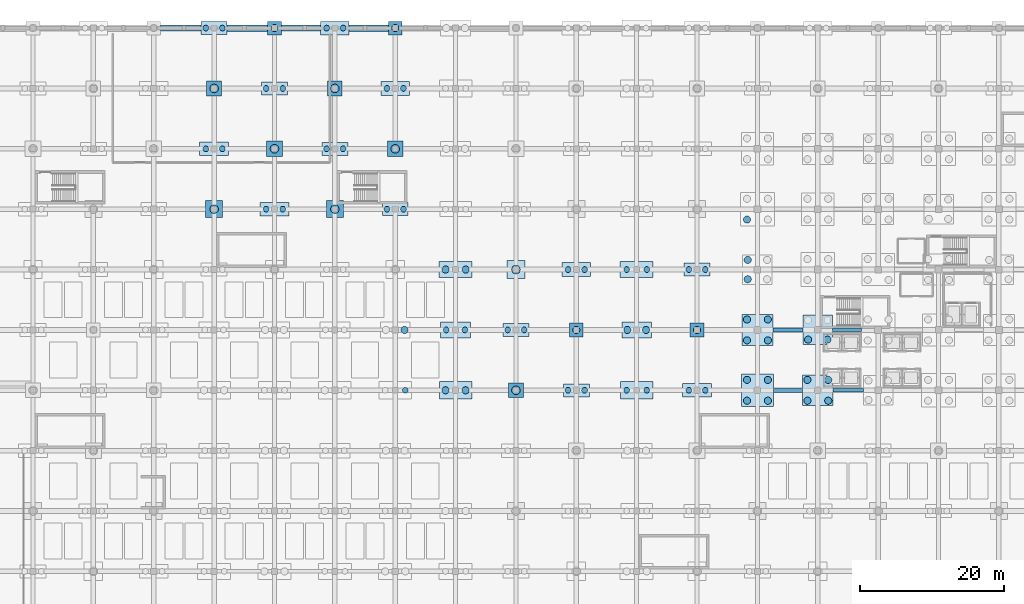
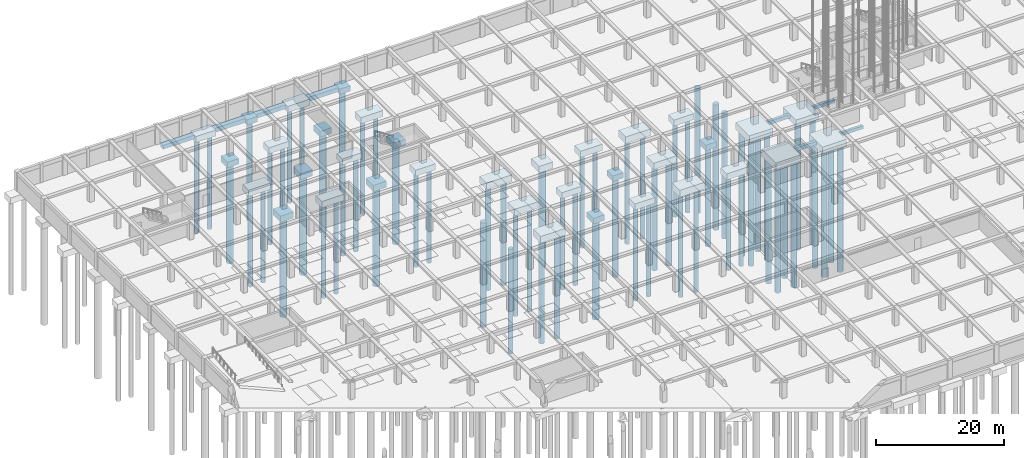
# One storey, part 4 of 47: 69 piles, 43 footings.
"""IFC4 building model written with IfcOpenShell, lengths in metres."""

import ifcopenshell
import ifcopenshell.guid

model = None  # the IFC model being written
_history = None  # IfcOwnerHistory: only IFC2X3 demands one
_inside = {}  # id of a spatial element -> (the spatial element, [elements in it])
_under = {}  # id of a project, library or spatial element -> (it, [spatial elements below it])
_declared = {}  # id of a project -> (the project, [libraries it declares])
_typed = {}  # id of a type object -> (the type object, [elements of that type])
_made_of = {}  # id of a material, layer set ... -> (it, [elements and type objects made of it])


def new_model(schema):
    """Start an empty IFC model of exactly this schema.

    Asked for "IFC4X3", IfcOpenShell would pick the latest addendum, in which some entities
    have other attributes; the version numbers below select the first issue.
    IFC2X3 requires an IfcOwnerHistory on every rooted entity: one is made here for all.
    """
    global model, _history
    if schema == "IFC4X3":
        model = ifcopenshell.file(schema_version=(4, 3, 0, 0))
    else:
        model = ifcopenshell.file(schema=schema)
    _inside.clear()
    _under.clear()
    _declared.clear()
    _typed.clear()
    _made_of.clear()
    _history = None
    if model.schema == "IFC2X3":
        org = make("IfcOrganization", Name="unknown")
        user = make(
            "IfcPersonAndOrganization",
            ThePerson=make("IfcPerson", FamilyName="unknown"),
            TheOrganization=org,
        )
        app = make(
            "IfcApplication",
            ApplicationDeveloper=org,
            Version="unknown",
            ApplicationFullName="unknown",
            ApplicationIdentifier="unknown",
        )
        _history = make(
            "IfcOwnerHistory",
            OwningUser=user,
            OwningApplication=app,
            ChangeAction="ADDED",
            CreationDate=0,
        )
    return model


def make(cls, **values):
    """One entity of the class cls with the attributes given. An attribute that is None is left unset."""
    return model.create_entity(
        cls, **{name: value for name, value in values.items() if value is not None}
    )


def rooted(cls, **values):
    """An entity with a GlobalId (a new one), such as an element, a storey or a relation."""
    return make(cls, GlobalId=ifcopenshell.guid.new(), OwnerHistory=_history, **values)


def si_unit(unit_type, name, prefix=None):
    """IfcSIUnit, for example si_unit("LENGTHUNIT", "METRE", prefix="MILLI")."""
    return make("IfcSIUnit", UnitType=unit_type, Prefix=prefix, Name=name)


def assignment(units):
    """IfcUnitAssignment: the units of a project."""
    return None if units is None else make("IfcUnitAssignment", Units=units)


def point(xyz):
    """IfcCartesianPoint."""
    return None if xyz is None else make("IfcCartesianPoint", Coordinates=xyz)


def direction(xyz):
    """IfcDirection."""
    return None if xyz is None else make("IfcDirection", DirectionRatios=xyz)


def frame(location, z_axis=None, x_axis=None):
    """IfcAxis2Placement3D, a coordinate frame: its origin and axes. An axis left out is left unset."""
    return make(
        "IfcAxis2Placement3D",
        Location=point(location),
        Axis=direction(z_axis),
        RefDirection=direction(x_axis),
    )


def frame_2d(location, x_axis=None):
    """IfcAxis2Placement2D, a coordinate frame in the plane: its origin and x axis."""
    return make(
        "IfcAxis2Placement2D", Location=point(location), RefDirection=direction(x_axis)
    )


def origin():
    """The frame at (0, 0, 0) with its axes left unset."""
    return frame((0.0, 0.0, 0.0))


def origin_2d():
    """The frame at (0, 0) in the plane with its x axis left unset."""
    return frame_2d((0.0, 0.0))


def place(relative_to, where):
    """IfcLocalPlacement: puts the frame where relative to a parent placement (None: the world)."""
    return make(
        "IfcLocalPlacement", PlacementRelTo=relative_to, RelativePlacement=where
    )


def context(
    kind, dimensions, precision=None, world=None, true_north=None, identifier=None
):
    """IfcGeometricRepresentationContext, for example the 3D "Model" context."""
    return make(
        "IfcGeometricRepresentationContext",
        ContextIdentifier=identifier,
        ContextType=kind,
        CoordinateSpaceDimension=dimensions,
        Precision=precision,
        WorldCoordinateSystem=world,
        TrueNorth=true_north,
    )


def subcontext(parent, identifier, kind, view, scale=None):
    """IfcGeometricRepresentationSubContext, for example "Body" below "Model"."""
    return make(
        "IfcGeometricRepresentationSubContext",
        ContextIdentifier=identifier,
        ContextType=kind,
        ParentContext=parent,
        TargetScale=scale,
        TargetView=view,
    )


def project(units=None, contexts=None):
    """IfcProject with its units and contexts."""
    return rooted(
        "IfcProject",
        Name="project",
        RepresentationContexts=contexts,
        UnitsInContext=assignment(units),
    )


def spatial(cls, under=None, at=None, **own):
    """A site, building, storey or space (cls), placed at a placement, below another one or the project."""
    s = rooted(cls, ObjectPlacement=at, **own)
    if under is not None:
        _under.setdefault(under.id(), (under, []))[1].append(s)
    return s


def profile(cls, at=None, kind="AREA", **sizes):
    """A parametric profile (cls). Its sizes go by their IFC names, for example OverallWidth=200.0."""
    return make(cls, ProfileType=kind, Position=at, **sizes)


def rectangle(**sizes):
    """IfcRectangleProfileDef."""
    return profile("IfcRectangleProfileDef", **sizes)


def circle(**sizes):
    """IfcCircleProfileDef."""
    return profile("IfcCircleProfileDef", **sizes)


def extrude(swept, where, along, depth):
    """IfcExtrudedAreaSolid: the profile swept, set in the frame where, extruded along a direction by depth."""
    return make(
        "IfcExtrudedAreaSolid",
        SweptArea=swept,
        Position=where,
        ExtrudedDirection=direction(along),
        Depth=depth,
    )


def shape(context_of_items, identifier, shape_type, items):
    """IfcShapeRepresentation: the items that make up one representation, for example the "Body"."""
    return make(
        "IfcShapeRepresentation",
        ContextOfItems=context_of_items,
        RepresentationIdentifier=identifier,
        RepresentationType=shape_type,
        Items=items,
    )


def material(Name=None, Category=None):
    """IfcMaterial."""
    return make("IfcMaterial", Name=Name, Category=Category)


def layer(
    of_material, thickness, ventilated=None, Name=None, Category=None, Priority=None
):
    """IfcMaterialLayer: one layer of a wall or slab, of a material (None: an air gap)."""
    return make(
        "IfcMaterialLayer",
        Material=of_material,
        LayerThickness=thickness,
        IsVentilated=ventilated,
        Name=Name,
        Category=Category,
        Priority=Priority,
    )


def layer_set(layers, Name=None):
    """IfcMaterialLayerSet."""
    return make("IfcMaterialLayerSet", MaterialLayers=layers, LayerSetName=Name)


def material_profile(
    of_material, cross_section, Name=None, Category=None, Priority=None
):
    """IfcMaterialProfile: a cross section and its material."""
    return make(
        "IfcMaterialProfile",
        Name=Name,
        Material=of_material,
        Profile=cross_section,
        Priority=Priority,
        Category=Category,
    )


def profile_set(profiles, Name=None, composite=None):
    """IfcMaterialProfileSet."""
    return make(
        "IfcMaterialProfileSet",
        Name=Name,
        MaterialProfiles=profiles,
        CompositeProfile=composite,
    )


def made_of(thing, what):
    """Note that an element or type object is made of a material, layer set ...; save() writes the relation."""
    if what is not None:
        _made_of.setdefault(what.id(), (what, []))[1].append(thing)
    return thing


def type_object(cls, material=None, **own):
    """A type object (cls), such as IfcWallType, which elements share."""
    return made_of(rooted(cls, **own), material)


def element(
    cls,
    number,
    at=None,
    inside=None,
    cuts=None,
    type_object=None,
    material=None,
    context=None,
    identifier="Body",
    shape_type=None,
    held_by="IfcProductDefinitionShape",
    body=None,
    shapes=None,
    **own,
):
    """One element of the class cls, such as IfcWall. Its Tag is "e" and its number.

    at: its placement. inside: the storey or other place that contains it. cuts: it is an
    opening in that element (IfcRelVoidsElement). A single representation is given by context,
    identifier, shape_type and body (its items); several are given by shapes. held_by: the class
    of the entity that holds the representations. save() writes the other relations.
    """
    e = rooted(cls, Tag="e%d" % number, ObjectPlacement=at, **own)
    if body is not None:
        shapes = [shape(context, identifier, shape_type, body)]
    if shapes is not None:
        e.Representation = make(held_by, Representations=shapes)
    if inside is not None:
        _inside.setdefault(inside.id(), (inside, []))[1].append(e)
    if cuts is not None:
        rooted(
            "IfcRelVoidsElement", RelatingBuildingElement=cuts, RelatedOpeningElement=e
        )
    if type_object is not None:
        _typed.setdefault(type_object.id(), (type_object, []))[1].append(e)
    return made_of(e, material)


def aggregate(whole, parts):
    """IfcRelAggregates: a whole, such as a stair, and the parts it consists of."""
    return rooted("IfcRelAggregates", RelatingObject=whole, RelatedObjects=parts)


def save(model, path):
    """Write the relations noted so far, then the file.

    IfcRelAggregates (storeys below a building ...), IfcRelContainedInSpatialStructure (elements
    in a storey), IfcRelDefinesByType, IfcRelAssociatesMaterial and IfcRelDeclares: one each for
    every whole, place, type object, material and project.
    """
    for whole, parts in _under.values():
        aggregate(whole, parts)
    for where, things in _inside.values():
        rooted(
            "IfcRelContainedInSpatialStructure",
            RelatedElements=things,
            RelatingStructure=where,
        )
    for kind, things in _typed.values():
        rooted("IfcRelDefinesByType", RelatedObjects=things, RelatingType=kind)
    for what, things in _made_of.values():
        rooted("IfcRelAssociatesMaterial", RelatedObjects=things, RelatingMaterial=what)
    for by, libraries in _declared.values():
        rooted("IfcRelDeclares", RelatingContext=by, RelatedDefinitions=libraries)
    model.write(path)


model = new_model("IFC4")

# Units and contexts
model_context = context("Model", 3, precision=1e-05, world=origin(), true_north=direction((0.0, 1.0)))
body_context = subcontext(model_context, "Body", "Model", "MODEL_VIEW")
ifc_project = project(units=[si_unit("LENGTHUNIT", "METRE"), si_unit("AREAUNIT", "SQUARE_METRE"), si_unit("VOLUMEUNIT", "CUBIC_METRE"), si_unit("PLANEANGLEUNIT", "RADIAN"), si_unit("MASSUNIT", "GRAM", prefix="KILO")], contexts=[model_context])

# Site, building, storey
site_placement = place(None, origin())
site = spatial("IfcSite", under=ifc_project, at=site_placement, CompositionType="ELEMENT")
building_placement = place(site_placement, origin())
building = spatial("IfcBuilding", under=site, at=building_placement, Name="Almacenes y Pasaje Nevantli", CompositionType="ELEMENT")
storey_placement = place(building_placement, frame((0.0, 0.0, -8.10009765625)))
storey = spatial("IfcBuildingStorey", under=building, at=storey_placement, Name="B02", CompositionType="ELEMENT", Elevation=-8.10009765625)

# Footings
ifc_material_1 = material(Name="Concrete C45/55", Category="concrete")
ifc_layer_1 = layer(ifc_material_1, 0.64990234375)
ifc_layer_set_1 = layer_set([ifc_layer_1], Name="Concrete C45/55")
footing_type_1 = type_object("IfcFootingType", Name="FT-FB-01", PredefinedType="FOOTING_BEAM", material=ifc_layer_set_1)
footing_1_placement = place(storey_placement, frame((113.449951171875, 67.199951171875, -1.14990234375), z_axis=(0.0, 0.0, 1.0), x_axis=(1.0, 0.0, 0.0)))
element("IfcFooting", 1, at=footing_1_placement, inside=storey, type_object=footing_type_1, Name="Continuous Seismic Footing Tie Beam #1", PredefinedType="FOOTING_BEAM", context=body_context, shape_type="SweptSolid", body=[
    extrude(rectangle(XDim=4.0, YDim=0.550048828125, at=origin_2d()), origin(), (0.0, 0.0, 1.0), 0.64990234375),
])
footing_2_placement = place(storey_placement, frame((113.449951171875, 75.60009765625, -1.14990234375), z_axis=(0.0, 0.0, 1.0), x_axis=(1.0, 0.0, 0.0)))
element("IfcFooting", 2, at=footing_2_placement, inside=storey, type_object=footing_type_1, Name="Continuous Seismic Footing Tie Beam #7", PredefinedType="FOOTING_BEAM", context=body_context, shape_type="SweptSolid", body=[
    extrude(rectangle(XDim=4.199951171875, YDim=0.550048828125, at=origin_2d()), origin(), (0.0, 0.0, 1.0), 0.64990234375),
])
ifc_material_2 = material(Name="Concrete C45/55", Category="concrete")
ifc_layer_2 = layer(ifc_material_2, 0.60009765625)
ifc_layer_set_2 = layer_set([ifc_layer_2], Name="Concrete C45/55")
footing_type_2 = type_object("IfcFootingType", Name="FT-FB-02", PredefinedType="FOOTING_BEAM", material=ifc_layer_set_2)
footing_3_placement = place(storey_placement, frame((121.85009765625, 67.199951171875, -1.099853515625), z_axis=(0.0, 0.0, 1.0), x_axis=(1.0, 0.0, 0.0)))
element("IfcFooting", 3, at=footing_3_placement, inside=storey, type_object=footing_type_2, Name="Continuous Seismic Footing Tie Beam #2", PredefinedType="FOOTING_BEAM", context=body_context, shape_type="SweptSolid", body=[
    extrude(rectangle(XDim=4.199951171875, YDim=0.5, at=origin_2d()), origin(), (0.0, 0.0, 1.0), 0.60009765625),
])
footing_4_placement = place(storey_placement, frame((121.64990234375, 75.60009765625, -1.099853515625), z_axis=(0.0, 0.0, 1.0), x_axis=(1.0, 0.0, 0.0)))
element("IfcFooting", 4, at=footing_4_placement, inside=storey, type_object=footing_type_2, Name="Continuous Seismic Footing Tie Beam #8", PredefinedType="FOOTING_BEAM", context=body_context, shape_type="SweptSolid", body=[
    extrude(rectangle(XDim=4.0, YDim=0.5, at=origin_2d()), origin(), (0.0, 0.0, 1.0), 0.60009765625),
])
ifc_material_3 = material(Name="Concrete C45/55", Category="concrete")
ifc_layer_3 = layer(ifc_material_3, 1.39990234375)
ifc_layer_set_3 = layer_set([ifc_layer_3], Name="Concrete C45/55")
footing_type_3 = type_object("IfcFootingType", Name="FT-PC-02", PredefinedType="PILE_CAP", material=ifc_layer_set_3)
footing_5_placement = place(storey_placement, frame((109.199951171875, 67.199951171875, -1.89990234375), z_axis=(0.0, 0.0, 1.0), x_axis=(1.0, 0.0, 0.0)))
element("IfcFooting", 5, at=footing_5_placement, inside=storey, type_object=footing_type_3, Name="Reinforced Concrete Pile Cap PC-02 #196", PredefinedType="PILE_CAP", context=body_context, shape_type="SweptSolid", body=[
    extrude(rectangle(XDim=4.5, YDim=4.5, at=origin_2d()), origin(), (0.0, 0.0, 1.0), 1.39990234375),
])
ifc_material_4 = material(Name="Concrete C45/55", Category="concrete")
ifc_layer_4 = layer(ifc_material_4, 1.35009765625)
ifc_layer_set_4 = layer_set([ifc_layer_4], Name="Concrete C45/55")
footing_type_4 = type_object("IfcFootingType", Name="FT-PC-03", PredefinedType="PILE_CAP", material=ifc_layer_set_4)
for number, where, z_axis, x_axis, name in (
    (6, (109.199951171875, 75.60009765625, -1.849853515625), (0.0, 0.0, 1.0), (1.0, 0.0, 0.0), "Reinforced Concrete Pile Cap PC-03 #197"),
    (7, (117.60009765625, 67.199951171875, -1.849853515625), (0.0, 0.0, 1.0), (1.0, 0.0, 0.0), "Reinforced Concrete Pile Cap PC-03 #211"),
):
    element("IfcFooting", number, at=place(storey_placement, frame(where, z_axis=z_axis, x_axis=x_axis)), inside=storey, type_object=footing_type_4, Name=name, PredefinedType="PILE_CAP", context=body_context, shape_type="SweptSolid", body=[
        extrude(rectangle(XDim=4.300048828125, YDim=4.300048828125, at=origin_2d()), origin(), (0.0, 0.0, 1.0), 1.35009765625),
    ])
ifc_material_5 = material(Name="Concrete C45/55", Category="concrete")
ifc_layer_5 = layer(ifc_material_5, 1.300048828125)
ifc_layer_set_5 = layer_set([ifc_layer_5], Name="Concrete C45/55")
footing_type_5 = type_object("IfcFootingType", Name="FT-PC-04", PredefinedType="PILE_CAP", material=ifc_layer_set_5)
footing_6_placement = place(storey_placement, frame((117.60009765625, 75.60009765625, -1.7998046875), z_axis=(0.0, 0.0, 1.0), x_axis=(1.0, 0.0, 0.0)))
element("IfcFooting", 8, at=footing_6_placement, inside=storey, type_object=footing_type_5, Name="Reinforced Concrete Pile Cap PC-04 #212", PredefinedType="PILE_CAP", context=body_context, shape_type="SweptSolid", body=[
    extrude(rectangle(XDim=4.10009765625, YDim=4.10009765625, at=origin_2d()), origin(), (0.0, 0.0, 1.0), 1.300048828125),
])
ifc_material_6 = material(Name="Concrete C45/55", Category="concrete")
ifc_layer_6 = layer(ifc_material_6, 1.300048828125)
ifc_layer_set_6 = layer_set([ifc_layer_6], Name="Concrete C45/55")
footing_type_6 = type_object("IfcFootingType", Name="FT-PC-06", PredefinedType="PILE_CAP", material=ifc_layer_set_6)
for number, where, z_axis, x_axis, name in (
    (9, (67.199951171875, 84.0, -1.7998046875), (0.0, 0.0, 1.0), (1.0, 0.0, 0.0), "Reinforced Concrete Pile Cap PC-06 #123"),
    (10, (92.39990234375, 84.0, -1.7998046875), (0.0, 0.0, 1.0), (1.0, 0.0, 0.0), "Reinforced Concrete Pile Cap PC-06 #168"),
):
    element("IfcFooting", number, at=place(storey_placement, frame(where, z_axis=z_axis, x_axis=x_axis)), inside=storey, type_object=footing_type_6, Name=name, PredefinedType="PILE_CAP", context=body_context, shape_type="SweptSolid", body=[
        extrude(rectangle(XDim=4.60009765625, YDim=2.199951171875, at=origin_2d()), origin(), (0.0, 0.0, 1.0), 1.300048828125),
    ])
ifc_material_7 = material(Name="Concrete C45/55", Category="concrete")
ifc_layer_7 = layer(ifc_material_7, 1.199951171875)
ifc_layer_set_7 = layer_set([ifc_layer_7], Name="Concrete C45/55")
footing_type_7 = type_object("IfcFootingType", Name="FT-PC-09", PredefinedType="PILE_CAP", material=ifc_layer_set_7)
for number, where, z_axis, x_axis, name in (
    (11, (33.60009765625, 100.800048828125, -1.69970703125), (0.0, 0.0, 1.0), (1.0, 0.0, 0.0), "Reinforced Concrete Pile Cap PC-09 #65"),
    (12, (42.0, 92.39990234375, -1.69970703125), (0.0, 0.0, 1.0), (1.0, 0.0, 0.0), "Reinforced Concrete Pile Cap PC-09 #79"),
    (13, (50.39990234375, 117.60009765625, -1.69970703125), (0.0, 0.0, 1.0), (1.0, 0.0, 0.0), "Reinforced Concrete Pile Cap PC-09 #97"),
    (14, (58.800048828125, 109.199951171875, -1.69970703125), (0.0, 0.0, 1.0), (1.0, 0.0, 0.0), "Reinforced Concrete Pile Cap PC-09 #111"),
    (15, (84.0, 84.0, -1.69970703125), (0.0, 0.0, 1.0), (1.0, 0.0, 0.0), "Reinforced Concrete Pile Cap PC-09 #153"),
    (16, (100.800048828125, 67.199951171875, -1.69970703125), (0.0, 0.0, 1.0), (1.0, 0.0, 0.0), "Reinforced Concrete Pile Cap PC-09 #181"),
):
    element("IfcFooting", number, at=place(storey_placement, frame(where, z_axis=z_axis, x_axis=x_axis)), inside=storey, type_object=footing_type_7, Name=name, PredefinedType="PILE_CAP", context=body_context, shape_type="SweptSolid", body=[
        extrude(rectangle(XDim=4.0, YDim=1.89990234375, at=origin_2d()), origin(), (0.0, 0.0, 1.0), 1.199951171875),
    ])
ifc_material_8 = material(Name="Concrete C45/55", Category="concrete")
ifc_layer_8 = layer(ifc_material_8, 1.14990234375)
ifc_layer_set_8 = layer_set([ifc_layer_8], Name="Concrete C45/55")
footing_type_8 = type_object("IfcFootingType", Name="FT-PC-11", PredefinedType="PILE_CAP", material=ifc_layer_set_8)
for number, where, z_axis, x_axis, name in (
    (17, (33.60009765625, 117.60009765625, -1.64990234375), (0.0, 0.0, 1.0), (1.0, 0.0, 0.0), "Reinforced Concrete Pile Cap PC-11 #67"),
    (18, (42.0, 109.199951171875, -1.64990234375), (0.0, 0.0, 1.0), (1.0, 0.0, 0.0), "Reinforced Concrete Pile Cap PC-11 #81"),
    (19, (50.39990234375, 100.800048828125, -1.64990234375), (0.0, 0.0, 1.0), (1.0, 0.0, 0.0), "Reinforced Concrete Pile Cap PC-11 #95"),
    (20, (58.800048828125, 92.39990234375, -1.64990234375), (0.0, 0.0, 1.0), (1.0, 0.0, 0.0), "Reinforced Concrete Pile Cap PC-11 #109"),
    (21, (75.60009765625, 75.60009765625, -1.64990234375), (0.0, 0.0, 1.0), (1.0, 0.0, 0.0), "Reinforced Concrete Pile Cap PC-11 #137"),
    (22, (84.0, 67.199951171875, -1.64990234375), (0.0, 0.0, 1.0), (1.0, 0.0, 0.0), "Reinforced Concrete Pile Cap PC-11 #151"),
    (23, (100.800048828125, 84.0, -1.64990234375), (0.0, 0.0, 1.0), (1.0, 0.0, 0.0), "Reinforced Concrete Pile Cap PC-11 #183"),
):
    element("IfcFooting", number, at=place(storey_placement, frame(where, z_axis=z_axis, x_axis=x_axis)), inside=storey, type_object=footing_type_8, Name=name, PredefinedType="PILE_CAP", context=body_context, shape_type="SweptSolid", body=[
        extrude(rectangle(XDim=3.60009765625, YDim=1.800048828125, at=origin_2d()), origin(), (0.0, 0.0, 1.0), 1.14990234375),
    ])
ifc_material_9 = material(Name="Concrete C45/55", Category="concrete")
ifc_layer_9 = layer(ifc_material_9, 1.25)
ifc_layer_set_9 = layer_set([ifc_layer_9], Name="Concrete C45/55")
footing_type_9 = type_object("IfcFootingType", Name="FT-PC-15", PredefinedType="PILE_CAP", material=ifc_layer_set_9)
footing_7_placement = place(storey_placement, frame((75.60009765625, 84.0, -1.75), z_axis=(0.0, 0.0, 1.0), x_axis=(1.0, 0.0, 0.0)))
element("IfcFooting", 24, at=footing_7_placement, inside=storey, type_object=footing_type_9, Name="Reinforced Concrete Pile Cap PC-15 #138", PredefinedType="PILE_CAP", context=body_context, shape_type="SweptSolid", body=[
    extrude(rectangle(XDim=2.550048828125, YDim=2.550048828125, at=origin_2d()), origin(), (0.0, 0.0, 1.0), 1.25),
])
ifc_material_10 = material(Name="Concrete C45/55", Category="concrete")
ifc_layer_10 = layer(ifc_material_10, 1.199951171875)
ifc_layer_set_10 = layer_set([ifc_layer_10], Name="Concrete C45/55")
footing_type_10 = type_object("IfcFootingType", Name="FT-PC-16", PredefinedType="PILE_CAP", material=ifc_layer_set_10)
for number, where, z_axis, x_axis, name in (
    (25, (33.60009765625, 92.39990234375, -1.69970703125), (0.0, 0.0, 1.0), (1.0, 0.0, 0.0), "Reinforced Concrete Pile Cap PC-16 #64"),
    (26, (50.39990234375, 92.39990234375, -1.69970703125), (0.0, 0.0, 1.0), (1.0, 0.0, 0.0), "Reinforced Concrete Pile Cap PC-16 #94"),
):
    element("IfcFooting", number, at=place(storey_placement, frame(where, z_axis=z_axis, x_axis=x_axis)), inside=storey, type_object=footing_type_10, Name=name, PredefinedType="PILE_CAP", context=body_context, shape_type="SweptSolid", body=[
        extrude(rectangle(XDim=2.35009765625, YDim=2.35009765625, at=origin_2d()), origin(), (0.0, 0.0, 1.0), 1.199951171875),
    ])
ifc_material_11 = material(Name="Concrete C45/55", Category="concrete")
ifc_layer_11 = layer(ifc_material_11, 1.14990234375)
ifc_layer_set_11 = layer_set([ifc_layer_11], Name="Concrete C45/55")
footing_type_11 = type_object("IfcFootingType", Name="FT-PC-17", PredefinedType="PILE_CAP", material=ifc_layer_set_11)
for number, where, z_axis, x_axis, name in (
    (27, (42.0, 100.800048828125, -1.64990234375), (0.0, 0.0, 1.0), (1.0, 0.0, 0.0), "Reinforced Concrete Pile Cap PC-17 #80"),
    (28, (58.800048828125, 100.800048828125, -1.64990234375), (0.0, 0.0, 1.0), (1.0, 0.0, 0.0), "Reinforced Concrete Pile Cap PC-17 #110"),
):
    element("IfcFooting", number, at=place(storey_placement, frame(where, z_axis=z_axis, x_axis=x_axis)), inside=storey, type_object=footing_type_11, Name=name, PredefinedType="PILE_CAP", context=body_context, shape_type="SweptSolid", body=[
        extrude(rectangle(XDim=2.199951171875, YDim=2.199951171875, at=origin_2d()), origin(), (0.0, 0.0, 1.0), 1.14990234375),
    ])
ifc_material_12 = material(Name="Concrete C45/55", Category="concrete")
ifc_layer_12 = layer(ifc_material_12, 1.10009765625)
ifc_layer_set_12 = layer_set([ifc_layer_12], Name="Concrete C45/55")
footing_type_12 = type_object("IfcFootingType", Name="FT-PC-18", PredefinedType="PILE_CAP", material=ifc_layer_set_12)
for number, where, z_axis, x_axis, name in (
    (29, (33.60009765625, 109.199951171875, -1.599853515625), (0.0, 0.0, 1.0), (1.0, 0.0, 0.0), "Reinforced Concrete Pile Cap PC-18 #66"),
    (30, (50.39990234375, 109.199951171875, -1.599853515625), (0.0, 0.0, 1.0), (1.0, 0.0, 0.0), "Reinforced Concrete Pile Cap PC-18 #96"),
    (31, (75.60009765625, 67.199951171875, -1.599853515625), (0.0, 0.0, 1.0), (1.0, 0.0, 0.0), "Reinforced Concrete Pile Cap PC-18 #136"),
):
    element("IfcFooting", number, at=place(storey_placement, frame(where, z_axis=z_axis, x_axis=x_axis)), inside=storey, type_object=footing_type_12, Name=name, PredefinedType="PILE_CAP", context=body_context, shape_type="SweptSolid", body=[
        extrude(rectangle(XDim=2.050048828125, YDim=2.050048828125, at=origin_2d()), origin(), (0.0, 0.0, 1.0), 1.10009765625),
    ])
ifc_material_13 = material(Name="Concrete C45/55", Category="concrete")
ifc_layer_13 = layer(ifc_material_13, 1.050048828125)
ifc_layer_set_13 = layer_set([ifc_layer_13], Name="Concrete C45/55")
footing_type_13 = type_object("IfcFootingType", Name="FT-PC-19", PredefinedType="PILE_CAP", material=ifc_layer_set_13)
for number, where, z_axis, x_axis, name in (
    (32, (42.0, 117.60009765625, -1.5498046875), (0.0, 0.0, 1.0), (1.0, 0.0, 0.0), "Reinforced Concrete Pile Cap PC-19 #82"),
    (33, (58.800048828125, 117.60009765625, -1.5498046875), (0.0, 0.0, 1.0), (1.0, 0.0, 0.0), "Reinforced Concrete Pile Cap PC-19 #112"),
    (34, (84.0, 75.60009765625, -1.5498046875), (0.0, 0.0, 1.0), (1.0, 0.0, 0.0), "Reinforced Concrete Pile Cap PC-19 #152"),
    (35, (100.800048828125, 75.60009765625, -1.5498046875), (0.0, 0.0, 1.0), (1.0, 0.0, 0.0), "Reinforced Concrete Pile Cap PC-19 #182"),
):
    element("IfcFooting", number, at=place(storey_placement, frame(where, z_axis=z_axis, x_axis=x_axis)), inside=storey, type_object=footing_type_13, Name=name, PredefinedType="PILE_CAP", context=body_context, shape_type="SweptSolid", body=[
        extrude(rectangle(XDim=1.89990234375, YDim=1.89990234375, at=origin_2d()), origin(), (0.0, 0.0, 1.0), 1.050048828125),
    ])
ifc_material_14 = material(Name="Concrete C45/55", Category="concrete")
ifc_layer_14 = layer(ifc_material_14, 1.300048828125)
ifc_layer_set_14 = layer_set([ifc_layer_14], Name="Concrete C45/55")
footing_type_14 = type_object("IfcFootingType", Name="FT-PC-20", PredefinedType="PILE_CAP", material=ifc_layer_set_14)
for number, where, z_axis, x_axis, name in (
    (36, (67.199951171875, 67.199951171875, -1.7998046875), (0.0, 0.0, 1.0), (1.0, 0.0, 0.0), "Reinforced Concrete Pile Cap PC-20 #121"),
    (37, (92.39990234375, 67.199951171875, -1.7998046875), (0.0, 0.0, 1.0), (1.0, 0.0, 0.0), "Reinforced Concrete Pile Cap PC-20 #166"),
):
    element("IfcFooting", number, at=place(storey_placement, frame(where, z_axis=z_axis, x_axis=x_axis)), inside=storey, type_object=footing_type_14, Name=name, PredefinedType="PILE_CAP", context=body_context, shape_type="SweptSolid", body=[
        extrude(rectangle(XDim=4.5, YDim=2.39990234375, at=origin_2d()), origin(), (0.0, 0.0, 1.0), 1.300048828125),
    ])
ifc_material_15 = material(Name="Concrete C45/55", Category="concrete")
ifc_layer_15 = layer(ifc_material_15, 1.25)
ifc_layer_set_15 = layer_set([ifc_layer_15], Name="Concrete C45/55")
footing_type_15 = type_object("IfcFootingType", Name="FT-PC-21", PredefinedType="PILE_CAP", material=ifc_layer_set_15)
for number, where, z_axis, x_axis, name in (
    (38, (67.199951171875, 75.60009765625, -1.75), (0.0, 0.0, 1.0), (1.0, 0.0, 0.0), "Reinforced Concrete Pile Cap PC-21 #122"),
    (39, (92.39990234375, 75.60009765625, -1.75), (0.0, 0.0, 1.0), (1.0, 0.0, 0.0), "Reinforced Concrete Pile Cap PC-21 #167"),
):
    element("IfcFooting", number, at=place(storey_placement, frame(where, z_axis=z_axis, x_axis=x_axis)), inside=storey, type_object=footing_type_15, Name=name, PredefinedType="PILE_CAP", context=body_context, shape_type="SweptSolid", body=[
        extrude(rectangle(XDim=4.14990234375, YDim=2.25, at=origin_2d()), origin(), (0.0, 0.0, 1.0), 1.25),
    ])
ifc_material_16 = material(Name="Concrete C45/55", Category="concrete")
ifc_layer_16 = layer(ifc_material_16, 0.800048828125)
ifc_layer_set_16 = layer_set([ifc_layer_16], Name="Concrete C45/55")
footing_type_16 = type_object("IfcFootingType", Name="FT-SF-01", PredefinedType="STRIP_FOOTING", material=ifc_layer_set_16)
footing_8_placement = place(storey_placement, frame((38.22509765625, 117.60009765625, -1.2998046875), z_axis=(0.0, 0.0, 1.0), x_axis=(1.0, 0.0, 0.0)))
element("IfcFooting", 40, at=footing_8_placement, inside=storey, type_object=footing_type_16, Name="Continuous Perimeter Strip Footing #5", PredefinedType="STRIP_FOOTING", context=body_context, shape_type="SweptSolid", body=[
    extrude(rectangle(XDim=5.64990234375, YDim=0.89990234375, at=origin_2d()), origin(), (0.0, 0.0, 1.0), 0.800048828125),
])
footing_9_placement = place(storey_placement, frame((55.125, 117.60009765625, -1.2998046875), z_axis=(0.0, 0.0, 1.0), x_axis=(1.0, 0.0, 0.0)))
element("IfcFooting", 41, at=footing_9_placement, inside=storey, type_object=footing_type_16, Name="Continuous Perimeter Strip Footing #7", PredefinedType="STRIP_FOOTING", context=body_context, shape_type="SweptSolid", body=[
    extrude(rectangle(XDim=5.449951171875, YDim=0.89990234375, at=origin_2d()), origin(), (0.0, 0.0, 1.0), 0.800048828125),
])
ifc_material_17 = material(Name="Concrete C45/55", Category="concrete")
ifc_layer_17 = layer(ifc_material_17, 0.75)
ifc_layer_set_17 = layer_set([ifc_layer_17], Name="Concrete C45/55")
footing_type_17 = type_object("IfcFootingType", Name="FT-SF-02", PredefinedType="STRIP_FOOTING", material=ifc_layer_set_17)
footing_10_placement = place(storey_placement, frame((28.97509765625, 117.60009765625, -1.25), z_axis=(0.0, 0.0, 1.0), x_axis=(1.0, 0.0, 0.0)))
element("IfcFooting", 42, at=footing_10_placement, inside=storey, type_object=footing_type_17, Name="Continuous Perimeter Strip Footing #4", PredefinedType="STRIP_FOOTING", context=body_context, shape_type="SweptSolid", body=[
    extrude(rectangle(XDim=5.64990234375, YDim=0.85009765625, at=origin_2d()), origin(), (0.0, 0.0, 1.0), 0.75),
])
footing_11_placement = place(storey_placement, frame((45.675048828125, 117.60009765625, -1.25), z_axis=(0.0, 0.0, 1.0), x_axis=(1.0, 0.0, 0.0)))
element("IfcFooting", 43, at=footing_11_placement, inside=storey, type_object=footing_type_17, Name="Continuous Perimeter Strip Footing #6", PredefinedType="STRIP_FOOTING", context=body_context, shape_type="SweptSolid", body=[
    extrude(rectangle(XDim=5.449951171875, YDim=0.85009765625, at=origin_2d()), origin(), (0.0, 0.0, 1.0), 0.75),
])

# Piles
ifc_material_18 = material(Name="Concrete C45/55", Category="concrete")
ifc_material_profile_1 = material_profile(ifc_material_18, circle(Radius=0.5, at=origin_2d()), Name="RC-PILE-D1000")
ifc_profile_set_1 = profile_set([ifc_material_profile_1], Name="Concrete C45/55")
pile_type_1 = type_object("IfcPileType", Name="PL-BORED-1000", PredefinedType="BORED", material=ifc_profile_set_1)
pile_1_placement = place(storey_placement, frame((42.0, 117.60009765625, -1.5), z_axis=(0.0, 0.0, -1.0), x_axis=(1.0, 0.0, 0.0)))
element("IfcPile", 44, at=pile_1_placement, inside=storey, type_object=pile_type_1, Name="Bored Pile PL-1000 #128", PredefinedType="BORED", context=body_context, shape_type="SweptSolid", body=[
    extrude(circle(Radius=0.5, at=origin_2d()), origin(), (0.0, 0.0, 1.0), 19.0),
])
pile_2_placement = place(storey_placement, frame((60.10009765625, 75.60009765625, -1.699951171875), z_axis=(0.0, 0.0, -1.0), x_axis=(1.0, 0.0, 0.0)))
element("IfcPile", 45, at=pile_2_placement, inside=storey, type_object=pile_type_1, Name="Bored Pile PL-1000 #171", PredefinedType="BORED", context=body_context, shape_type="SweptSolid", body=[
    extrude(circle(Radius=0.5, at=origin_2d()), origin(), (0.0, 0.0, 1.0), 20.0),
])
pile_3_placement = place(storey_placement, frame((58.800048828125, 117.60009765625, -1.5), z_axis=(0.0, 0.0, -1.0), x_axis=(1.0, 0.0, 0.0)))
element("IfcPile", 46, at=pile_3_placement, inside=storey, type_object=pile_type_1, Name="Bored Pile PL-1000 #178", PredefinedType="BORED", context=body_context, shape_type="SweptSolid", body=[
    extrude(circle(Radius=0.5, at=origin_2d()), origin(), (0.0, 0.0, 1.0), 19.0),
])
for number, where, z_axis, x_axis, name in (
    (47, (65.800048828125, 67.199951171875, -1.75), (0.0, 0.0, -1.0), (1.0, 0.0, 0.0), "Bored Pile PL-1000 #195"),
    (48, (68.60009765625, 67.199951171875, -1.75), (0.0, 0.0, -1.0), (1.0, 0.0, 0.0), "Bored Pile PL-1000 #196"),
    (49, (65.800048828125, 84.0, -1.75), (0.0, 0.0, -1.0), (1.0, 0.0, 0.0), "Bored Pile PL-1000 #199"),
    (50, (68.60009765625, 84.0, -1.75), (0.0, 0.0, -1.0), (1.0, 0.0, 0.0), "Bored Pile PL-1000 #200"),
):
    element("IfcPile", number, at=place(storey_placement, frame(where, z_axis=z_axis, x_axis=x_axis)), inside=storey, type_object=pile_type_1, Name=name, PredefinedType="BORED", context=body_context, shape_type="SweptSolid", body=[
        extrude(circle(Radius=0.5, at=origin_2d()), origin(), (0.0, 0.0, 1.0), 20.0),
    ])
pile_4_placement = place(storey_placement, frame((84.0, 75.60009765625, -1.5), z_axis=(0.0, 0.0, -1.0), x_axis=(1.0, 0.0, 0.0)))
element("IfcPile", 51, at=pile_4_placement, inside=storey, type_object=pile_type_1, Name="Bored Pile PL-1000 #245", PredefinedType="BORED", context=body_context, shape_type="SweptSolid", body=[
    extrude(circle(Radius=0.5, at=origin_2d()), origin(), (0.0, 0.0, 1.0), 19.0),
])
for number, where, z_axis, x_axis, name in (
    (52, (91.10009765625, 75.60009765625, -1.699951171875), (0.0, 0.0, -1.0), (1.0, 0.0, 0.0), "Bored Pile PL-1000 #272"),
    (53, (93.699951171875, 75.60009765625, -1.699951171875), (0.0, 0.0, -1.0), (1.0, 0.0, 0.0), "Bored Pile PL-1000 #273"),
):
    element("IfcPile", number, at=place(storey_placement, frame(where, z_axis=z_axis, x_axis=x_axis)), inside=storey, type_object=pile_type_1, Name=name, PredefinedType="BORED", context=body_context, shape_type="SweptSolid", body=[
        extrude(circle(Radius=0.5, at=origin_2d()), origin(), (0.0, 0.0, 1.0), 20.0),
    ])
pile_5_placement = place(storey_placement, frame((100.800048828125, 75.60009765625, -1.5), z_axis=(0.0, 0.0, -1.0), x_axis=(1.0, 0.0, 0.0)))
element("IfcPile", 54, at=pile_5_placement, inside=storey, type_object=pile_type_1, Name="Bored Pile PL-1000 #298", PredefinedType="BORED", context=body_context, shape_type="SweptSolid", body=[
    extrude(circle(Radius=0.5, at=origin_2d()), origin(), (0.0, 0.0, 1.0), 19.0),
])
for number, where, z_axis, x_axis, name in (
    (55, (107.75, 65.75, -1.849853515625), (0.0, 0.0, -1.0), (1.0, 0.0, 0.0), "Bored Pile PL-1000 #319"),
    (56, (110.64990234375, 65.75, -1.849853515625), (0.0, 0.0, -1.0), (1.0, 0.0, 0.0), "Bored Pile PL-1000 #320"),
    (57, (107.75, 68.64990234375, -1.849853515625), (0.0, 0.0, -1.0), (1.0, 0.0, 0.0), "Bored Pile PL-1000 #321"),
    (58, (110.64990234375, 68.64990234375, -1.849853515625), (0.0, 0.0, -1.0), (1.0, 0.0, 0.0), "Bored Pile PL-1000 #322"),
    (59, (107.75, 74.14990234375, -1.7998046875), (0.0, 0.0, -1.0), (1.0, 0.0, 0.0), "Bored Pile PL-1000 #323"),
    (60, (110.64990234375, 74.14990234375, -1.7998046875), (0.0, 0.0, -1.0), (1.0, 0.0, 0.0), "Bored Pile PL-1000 #324"),
    (61, (107.75, 77.050048828125, -1.7998046875), (0.0, 0.0, -1.0), (1.0, 0.0, 0.0), "Bored Pile PL-1000 #325"),
    (62, (110.64990234375, 77.050048828125, -1.7998046875), (0.0, 0.0, -1.0), (1.0, 0.0, 0.0), "Bored Pile PL-1000 #326"),
    (63, (107.85009765625, 82.64990234375, -1.75), (0.0, 0.0, -1.0), (1.0, 0.0, 0.0), "Bored Pile PL-1000 #327"),
    (64, (107.85009765625, 85.35009765625, -1.75), (0.0, 0.0, -1.0), (1.0, 0.0, 0.0), "Bored Pile PL-1000 #329"),
    (65, (107.75, 90.949951171875, -1.89990234375), (0.0, 0.0, -1.0), (1.0, 0.0, 0.0), "Bored Pile PL-1000 #331"),
    (66, (116.14990234375, 65.75, -1.7998046875), (0.0, 0.0, -1.0), (1.0, 0.0, 0.0), "Bored Pile PL-1000 #354"),
    (67, (119.050048828125, 65.75, -1.7998046875), (0.0, 0.0, -1.0), (1.0, 0.0, 0.0), "Bored Pile PL-1000 #355"),
    (68, (116.14990234375, 68.64990234375, -1.7998046875), (0.0, 0.0, -1.0), (1.0, 0.0, 0.0), "Bored Pile PL-1000 #356"),
    (69, (119.050048828125, 68.64990234375, -1.7998046875), (0.0, 0.0, -1.0), (1.0, 0.0, 0.0), "Bored Pile PL-1000 #357"),
    (70, (116.25, 74.25, -1.75), (0.0, 0.0, -1.0), (1.0, 0.0, 0.0), "Bored Pile PL-1000 #358"),
    (71, (118.949951171875, 74.25, -1.75), (0.0, 0.0, -1.0), (1.0, 0.0, 0.0), "Bored Pile PL-1000 #359"),
):
    element("IfcPile", number, at=place(storey_placement, frame(where, z_axis=z_axis, x_axis=x_axis)), inside=storey, type_object=pile_type_1, Name=name, PredefinedType="BORED", context=body_context, shape_type="SweptSolid", body=[
        extrude(circle(Radius=0.5, at=origin_2d()), origin(), (0.0, 0.0, 1.0), 24.0),
    ])
ifc_material_19 = material(Name="Concrete C45/55", Category="concrete")
ifc_material_profile_2 = material_profile(ifc_material_19, circle(Radius=0.60009765625, at=origin_2d()), Name="RC-PILE-D1200")
ifc_profile_set_2 = profile_set([ifc_material_profile_2], Name="Concrete C45/55")
pile_type_2 = type_object("IfcPileType", Name="PL-BORED-1200", PredefinedType="BORED", material=ifc_profile_set_2)
for number, where, z_axis, x_axis, name in (
    (72, (33.60009765625, 92.39990234375, -1.64990234375), (0.0, 0.0, -1.0), (1.0, 0.0, 0.0), "Bored Pile PL-1200 #99"),
    (73, (33.60009765625, 109.199951171875, -1.5498046875), (0.0, 0.0, -1.0), (1.0, 0.0, 0.0), "Bored Pile PL-1200 #102"),
    (74, (42.0, 100.800048828125, -1.599853515625), (0.0, 0.0, -1.0), (1.0, 0.0, 0.0), "Bored Pile PL-1200 #125"),
    (75, (50.39990234375, 92.39990234375, -1.64990234375), (0.0, 0.0, -1.0), (1.0, 0.0, 0.0), "Bored Pile PL-1200 #149"),
    (76, (50.39990234375, 109.199951171875, -1.5498046875), (0.0, 0.0, -1.0), (1.0, 0.0, 0.0), "Bored Pile PL-1200 #152"),
    (77, (58.800048828125, 100.800048828125, -1.599853515625), (0.0, 0.0, -1.0), (1.0, 0.0, 0.0), "Bored Pile PL-1200 #175"),
    (78, (75.60009765625, 67.199951171875, -1.5498046875), (0.0, 0.0, -1.0), (1.0, 0.0, 0.0), "Bored Pile PL-1200 #221"),
    (79, (75.60009765625, 84.0, -1.699951171875), (0.0, 0.0, -1.0), (1.0, 0.0, 0.0), "Bored Pile PL-1200 #224"),
):
    element("IfcPile", number, at=place(storey_placement, frame(where, z_axis=z_axis, x_axis=x_axis)), inside=storey, type_object=pile_type_2, Name=name, PredefinedType="BORED", context=body_context, shape_type="SweptSolid", body=[
        extrude(circle(Radius=0.60009765625, at=origin_2d()), origin(), (0.0, 0.0, 1.0), 19.0),
    ])
ifc_material_20 = material(Name="Concrete C45/55", Category="concrete")
ifc_material_profile_3 = material_profile(ifc_material_20, circle(Radius=0.39990234375, at=origin_2d()), Name="RC-PILE-D800")
ifc_profile_set_3 = profile_set([ifc_material_profile_3], Name="Concrete C45/55")
pile_type_3 = type_object("IfcPileType", Name="PL-BORED-800", PredefinedType="BORED", material=ifc_profile_set_3)
for number, where, z_axis, x_axis, name in (
    (80, (32.449951171875, 100.800048828125, -1.64990234375), (0.0, 0.0, -1.0), (1.0, 0.0, 0.0), "Bored Pile PL-800 #100"),
    (81, (34.75, 100.800048828125, -1.64990234375), (0.0, 0.0, -1.0), (1.0, 0.0, 0.0), "Bored Pile PL-800 #101"),
    (82, (32.449951171875, 117.60009765625, -1.599853515625), (0.0, 0.0, -1.0), (1.0, 0.0, 0.0), "Bored Pile PL-800 #103"),
    (83, (34.75, 117.60009765625, -1.599853515625), (0.0, 0.0, -1.0), (1.0, 0.0, 0.0), "Bored Pile PL-800 #104"),
    (84, (40.85009765625, 92.39990234375, -1.64990234375), (0.0, 0.0, -1.0), (1.0, 0.0, 0.0), "Bored Pile PL-800 #123"),
    (85, (43.14990234375, 92.39990234375, -1.64990234375), (0.0, 0.0, -1.0), (1.0, 0.0, 0.0), "Bored Pile PL-800 #124"),
    (86, (40.85009765625, 109.199951171875, -1.599853515625), (0.0, 0.0, -1.0), (1.0, 0.0, 0.0), "Bored Pile PL-800 #126"),
    (87, (43.14990234375, 109.199951171875, -1.599853515625), (0.0, 0.0, -1.0), (1.0, 0.0, 0.0), "Bored Pile PL-800 #127"),
    (88, (49.25, 100.800048828125, -1.599853515625), (0.0, 0.0, -1.0), (1.0, 0.0, 0.0), "Bored Pile PL-800 #150"),
    (89, (51.550048828125, 100.800048828125, -1.599853515625), (0.0, 0.0, -1.0), (1.0, 0.0, 0.0), "Bored Pile PL-800 #151"),
    (90, (49.25, 117.60009765625, -1.64990234375), (0.0, 0.0, -1.0), (1.0, 0.0, 0.0), "Bored Pile PL-800 #153"),
    (91, (51.550048828125, 117.60009765625, -1.64990234375), (0.0, 0.0, -1.0), (1.0, 0.0, 0.0), "Bored Pile PL-800 #154"),
):
    element("IfcPile", number, at=place(storey_placement, frame(where, z_axis=z_axis, x_axis=x_axis)), inside=storey, type_object=pile_type_3, Name=name, PredefinedType="BORED", context=body_context, shape_type="SweptSolid", body=[
        extrude(circle(Radius=0.39990234375, at=origin_2d()), origin(), (0.0, 0.0, 1.0), 18.0),
    ])
pile_6_placement = place(storey_placement, frame((60.199951171875, 67.199951171875, -1.75), z_axis=(0.0, 0.0, -1.0), x_axis=(1.0, 0.0, 0.0)))
element("IfcPile", 92, at=pile_6_placement, inside=storey, type_object=pile_type_3, Name="Bored Pile PL-800 #169", PredefinedType="BORED", context=body_context, shape_type="SweptSolid", body=[
    extrude(circle(Radius=0.39990234375, at=origin_2d()), origin(), (0.0, 0.0, 1.0), 20.0),
])
for number, where, z_axis, x_axis, name in (
    (93, (57.64990234375, 92.39990234375, -1.599853515625), (0.0, 0.0, -1.0), (1.0, 0.0, 0.0), "Bored Pile PL-800 #173"),
    (94, (59.949951171875, 92.39990234375, -1.599853515625), (0.0, 0.0, -1.0), (1.0, 0.0, 0.0), "Bored Pile PL-800 #174"),
    (95, (57.64990234375, 109.199951171875, -1.64990234375), (0.0, 0.0, -1.0), (1.0, 0.0, 0.0), "Bored Pile PL-800 #176"),
    (96, (59.949951171875, 109.199951171875, -1.64990234375), (0.0, 0.0, -1.0), (1.0, 0.0, 0.0), "Bored Pile PL-800 #177"),
):
    element("IfcPile", number, at=place(storey_placement, frame(where, z_axis=z_axis, x_axis=x_axis)), inside=storey, type_object=pile_type_3, Name=name, PredefinedType="BORED", context=body_context, shape_type="SweptSolid", body=[
        extrude(circle(Radius=0.39990234375, at=origin_2d()), origin(), (0.0, 0.0, 1.0), 18.0),
    ])
for number, where, z_axis, x_axis, name in (
    (97, (65.89990234375, 75.60009765625, -1.699951171875), (0.0, 0.0, -1.0), (1.0, 0.0, 0.0), "Bored Pile PL-800 #197"),
    (98, (68.5, 75.60009765625, -1.699951171875), (0.0, 0.0, -1.0), (1.0, 0.0, 0.0), "Bored Pile PL-800 #198"),
):
    element("IfcPile", number, at=place(storey_placement, frame(where, z_axis=z_axis, x_axis=x_axis)), inside=storey, type_object=pile_type_3, Name=name, PredefinedType="BORED", context=body_context, shape_type="SweptSolid", body=[
        extrude(circle(Radius=0.39990234375, at=origin_2d()), origin(), (0.0, 0.0, 1.0), 20.0),
    ])
for number, where, z_axis, x_axis, name in (
    (99, (74.449951171875, 75.60009765625, -1.599853515625), (0.0, 0.0, -1.0), (1.0, 0.0, 0.0), "Bored Pile PL-800 #222"),
    (100, (76.75, 75.60009765625, -1.599853515625), (0.0, 0.0, -1.0), (1.0, 0.0, 0.0), "Bored Pile PL-800 #223"),
    (101, (82.85009765625, 67.199951171875, -1.599853515625), (0.0, 0.0, -1.0), (1.0, 0.0, 0.0), "Bored Pile PL-800 #243"),
    (102, (85.14990234375, 67.199951171875, -1.599853515625), (0.0, 0.0, -1.0), (1.0, 0.0, 0.0), "Bored Pile PL-800 #244"),
    (103, (82.85009765625, 84.0, -1.64990234375), (0.0, 0.0, -1.0), (1.0, 0.0, 0.0), "Bored Pile PL-800 #246"),
    (104, (85.14990234375, 84.0, -1.64990234375), (0.0, 0.0, -1.0), (1.0, 0.0, 0.0), "Bored Pile PL-800 #247"),
):
    element("IfcPile", number, at=place(storey_placement, frame(where, z_axis=z_axis, x_axis=x_axis)), inside=storey, type_object=pile_type_3, Name=name, PredefinedType="BORED", context=body_context, shape_type="SweptSolid", body=[
        extrude(circle(Radius=0.39990234375, at=origin_2d()), origin(), (0.0, 0.0, 1.0), 18.0),
    ])
for number, where, z_axis, x_axis, name in (
    (105, (91.0, 67.199951171875, -1.75), (0.0, 0.0, -1.0), (1.0, 0.0, 0.0), "Bored Pile PL-800 #270"),
    (106, (93.800048828125, 67.199951171875, -1.75), (0.0, 0.0, -1.0), (1.0, 0.0, 0.0), "Bored Pile PL-800 #271"),
    (107, (91.0, 84.0, -1.75), (0.0, 0.0, -1.0), (1.0, 0.0, 0.0), "Bored Pile PL-800 #274"),
    (108, (93.800048828125, 84.0, -1.75), (0.0, 0.0, -1.0), (1.0, 0.0, 0.0), "Bored Pile PL-800 #275"),
):
    element("IfcPile", number, at=place(storey_placement, frame(where, z_axis=z_axis, x_axis=x_axis)), inside=storey, type_object=pile_type_3, Name=name, PredefinedType="BORED", context=body_context, shape_type="SweptSolid", body=[
        extrude(circle(Radius=0.39990234375, at=origin_2d()), origin(), (0.0, 0.0, 1.0), 20.0),
    ])
for number, where, z_axis, x_axis, name in (
    (109, (99.64990234375, 67.199951171875, -1.64990234375), (0.0, 0.0, -1.0), (1.0, 0.0, 0.0), "Bored Pile PL-800 #296"),
    (110, (101.949951171875, 67.199951171875, -1.64990234375), (0.0, 0.0, -1.0), (1.0, 0.0, 0.0), "Bored Pile PL-800 #297"),
    (111, (99.64990234375, 84.0, -1.599853515625), (0.0, 0.0, -1.0), (1.0, 0.0, 0.0), "Bored Pile PL-800 #299"),
    (112, (101.949951171875, 84.0, -1.599853515625), (0.0, 0.0, -1.0), (1.0, 0.0, 0.0), "Bored Pile PL-800 #300"),
):
    element("IfcPile", number, at=place(storey_placement, frame(where, z_axis=z_axis, x_axis=x_axis)), inside=storey, type_object=pile_type_3, Name=name, PredefinedType="BORED", context=body_context, shape_type="SweptSolid", body=[
        extrude(circle(Radius=0.39990234375, at=origin_2d()), origin(), (0.0, 0.0, 1.0), 18.0),
    ])

save(model, "model.ifc")
